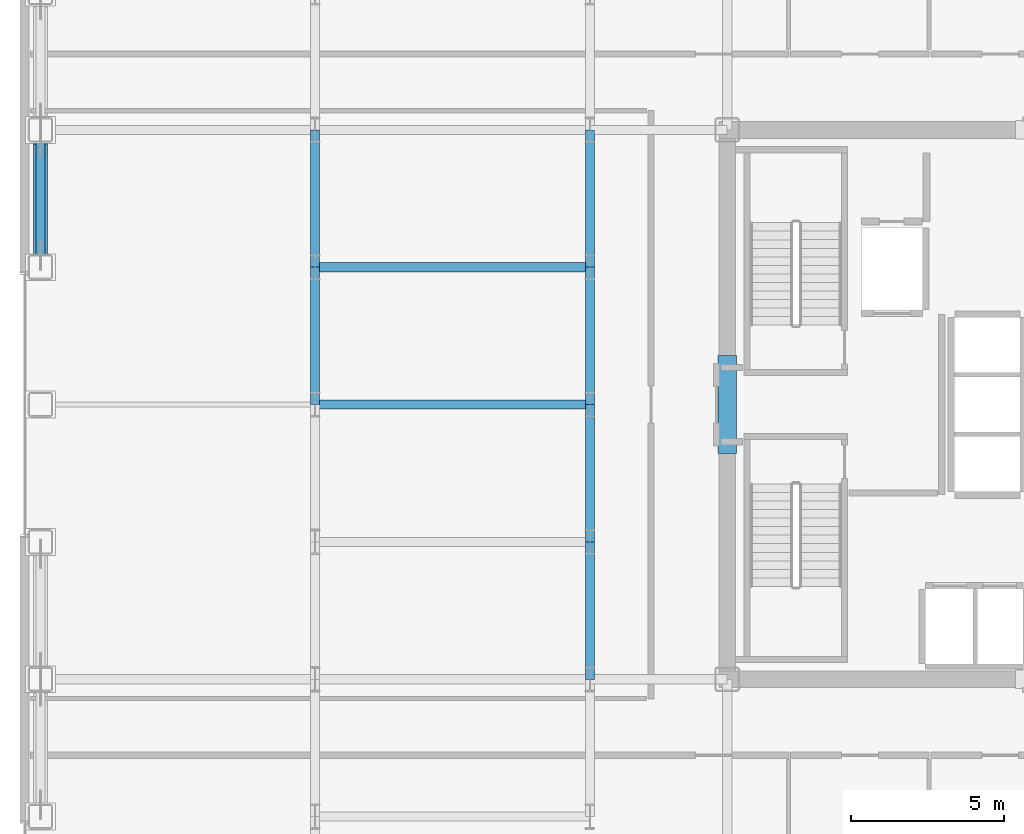
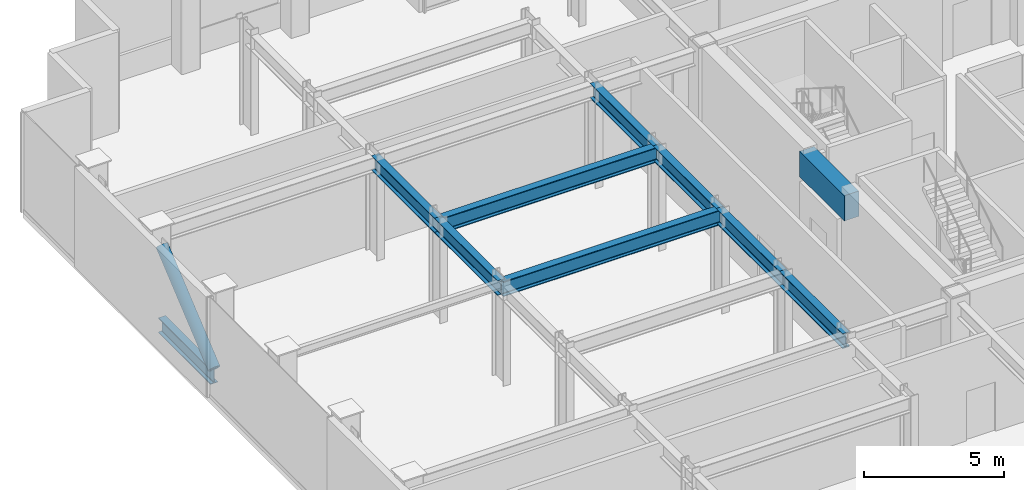
# One storey, part 7 of 26: 9 beams, 2 members.
"""IFC4 building model written with IfcOpenShell, lengths in metres."""

from ifc_helpers import new_model, si_unit, direction, frame, origin, origin_2d, place, context, subcontext, project, spatial, rectangle, hollow_circle, i_section, extrude, source, transform, mapped, material, material_profile, profile_set, type_object, element, save


model = new_model("IFC4")

# Units and contexts
model_context = context("Model", 3, precision=1e-05, world=origin(), true_north=direction((0.0, 1.0)))
body_context = subcontext(model_context, "Body", "Model", "MODEL_VIEW")
ifc_project = project(units=[si_unit("LENGTHUNIT", "METRE"), si_unit("AREAUNIT", "SQUARE_METRE"), si_unit("VOLUMEUNIT", "CUBIC_METRE"), si_unit("PLANEANGLEUNIT", "RADIAN"), si_unit("MASSUNIT", "GRAM", prefix="KILO")], contexts=[model_context])

# Site, building, storey
site_placement = place(None, origin())
site = spatial("IfcSite", under=ifc_project, at=site_placement, CompositionType="ELEMENT")
building_placement = place(site_placement, origin())
building = spatial("IfcBuilding", under=site, at=building_placement, Name="Nefas-Gora Pilgrimage Tower", CompositionType="ELEMENT")
storey_placement = place(building_placement, frame((0.0, 0.0, 202.0)))
storey = spatial("IfcBuildingStorey", under=building, at=storey_placement, Name="L50", CompositionType="ELEMENT", Elevation=202.0)

# Beams
ifc_material_1 = material(Name="Concrete C60/75", Category="concrete")
ifc_material_profile_1 = material_profile(ifc_material_1, rectangle(XDim=0.60009765625, YDim=1.10009765625, at=origin_2d()), Name="RC 600x1100")
ifc_profile_set_1 = profile_set([ifc_material_profile_1], Name="Concrete C60/75")
beam_type_1 = type_object("IfcBeamType", Name="BM-LIN-RC1100", PredefinedType="LINTEL", material=ifc_profile_set_1)
shared_shape_1 = source(origin(), body_context, "Body", "SweptSolid", [
    extrude(rectangle(XDim=0.60009765625, YDim=1.10009765625, at=origin_2d()), origin(), (0.0, 0.0, 1.0), 3.2001953125),
])
beam_placement = place(storey_placement, frame((-11.25, -1.60009765625, 3.800048828125), z_axis=(0.0, 1.0, 0.0), x_axis=(-1.0, 0.0, 0.0)))
element("IfcBeam", 1, at=beam_placement, inside=storey, type_object=beam_type_1, Name="L50 Core Coupling Lintel Beam W", PredefinedType="LINTEL", context=body_context, shape_type="MappedRepresentation", body=[
    mapped(shared_shape_1, transform((0.0, 0.0, 0.0), x_axis=(1.0, 0.0, 0.0), y_axis=(0.0, 1.0, 0.0), z_axis=(0.0, 0.0, 1.0), scale=1.0)),
])
ifc_material_2 = material(Name="Steel S355", Category="steel")
ifc_material_profile_2 = material_profile(ifc_material_2, i_section(OverallWidth=0.300048828125, OverallDepth=0.64990234375, WebThickness=0.01611328125, FlangeThickness=0.031005859375, FilletRadius=0.027099609375, at=origin_2d()), Name="HEB 650")
ifc_profile_set_2 = profile_set([ifc_material_profile_2], Name="Steel S355")
beam_type_2 = type_object("IfcBeamType", Name="BM-GIR-HEB650", PredefinedType="BEAM", material=ifc_profile_set_2)
shared_shape_2 = source(origin(), body_context, "Body", "SweptSolid", [
    extrude(i_section(OverallWidth=0.300048828125, OverallDepth=0.64990234375, WebThickness=0.01611328125, FlangeThickness=0.031005859375, FilletRadius=0.027099609375, at=origin_2d()), origin(), (0.0, 0.0, 1.0), 9.0),
])
for number, where, z_axis, x_axis, name in (
    (2, (-24.75, 0.0, 4.02490234375), (1.0, 0.0, 0.0), (0.0, 1.0, 0.0), "L50 G-03 beam"),
    (3, (-24.75, 4.5, 4.02490234375), (1.0, 0.0, 0.0), (0.0, 1.0, 0.0), "L50 G-03 beam"),
):
    element("IfcBeam", number, at=place(storey_placement, frame(where, z_axis=z_axis, x_axis=x_axis)), inside=storey, type_object=beam_type_2, Name=name, PredefinedType="BEAM", context=body_context, shape_type="MappedRepresentation", body=[
        mapped(shared_shape_2, transform((0.0, 0.0, 0.0), x_axis=(1.0, 0.0, 0.0), y_axis=(0.0, 1.0, 0.0), z_axis=(0.0, 0.0, 1.0), scale=1.0)),
    ])
shared_shape_3 = source(origin(), body_context, "Body", "SweptSolid", [
    extrude(i_section(OverallWidth=0.300048828125, OverallDepth=0.64990234375, WebThickness=0.01611328125, FlangeThickness=0.031005859375, FilletRadius=0.027099609375, at=origin_2d()), origin(), (0.0, 0.0, 1.0), 4.5),
])
for number, where, z_axis, x_axis, name in (
    (4, (-24.75, 0.0, 4.02490234375), (0.0, 1.0, 0.0), (-1.0, 0.0, 0.0), "L50 G-03 beam"),
    (5, (-24.75, 4.5, 4.02490234375), (0.0, 1.0, 0.0), (-1.0, 0.0, 0.0), "L50 G-03 beam"),
    (6, (-15.75, -9.0, 4.02490234375), (0.0, 1.0, 0.0), (-1.0, 0.0, 0.0), "L50 G-03 beam"),
    (7, (-15.75, -4.5, 4.02490234375), (0.0, 1.0, 0.0), (-1.0, 0.0, 0.0), "L50 G-03 beam"),
    (8, (-15.75, 0.0, 4.02490234375), (0.0, 1.0, 0.0), (-1.0, 0.0, 0.0), "L50 G-03 beam"),
    (9, (-15.75, 4.5, 4.02490234375), (0.0, 1.0, 0.0), (-1.0, 0.0, 0.0), "L50 G-03 beam"),
):
    element("IfcBeam", number, at=place(storey_placement, frame(where, z_axis=z_axis, x_axis=x_axis)), inside=storey, type_object=beam_type_2, Name=name, PredefinedType="BEAM", context=body_context, shape_type="MappedRepresentation", body=[
        mapped(shared_shape_3, transform((0.0, 0.0, 0.0), x_axis=(1.0, 0.0, 0.0), y_axis=(0.0, 1.0, 0.0), z_axis=(0.0, 0.0, 1.0), scale=1.0)),
    ])

# Members
ifc_material_3 = material(Name="Steel S460", Category="steel")
ifc_material_profile_3 = material_profile(ifc_material_3, hollow_circle(Radius=0.228515625, WallThickness=0.028076171875, at=origin_2d()), Name="CHS 457x28")
ifc_profile_set_3 = profile_set([ifc_material_profile_3], Name="Steel S460")
member_type_1 = type_object("IfcMemberType", Name="MEM-BELT-457", PredefinedType="BRACE", material=ifc_profile_set_3)
shared_shape_4 = source(origin(), body_context, "Body", "SweptSolid", [
    extrude(hollow_circle(Radius=0.228515625, WallThickness=0.028076171875, at=origin_2d()), origin(), (0.0, 0.0, 1.0), 4.84765625),
])
member_1_placement = place(storey_placement, frame((-33.75, 4.887939453125, 0.67333984375), z_axis=(0.0, 0.768237791814, 0.640164584485), x_axis=(-1.0, 0.0, 0.0)))
element("IfcMember", 10, at=member_1_placement, inside=storey, type_object=member_type_1, Name="L50 Perimeter Belt-Truss Diagonal 3", PredefinedType="BRACE", context=body_context, shape_type="MappedRepresentation", body=[
    mapped(shared_shape_4, transform((0.0, 0.0, 0.0), x_axis=(1.0, 0.0, 0.0), y_axis=(0.0, 1.0, 0.0), z_axis=(0.0, 0.0, 1.0), scale=1.0)),
])
ifc_material_profile_4 = material_profile(ifc_material_3, i_section(OverallWidth=0.300048828125, OverallDepth=0.64990234375, WebThickness=0.01611328125, FlangeThickness=0.031005859375, FilletRadius=0.027099609375, at=origin_2d()), Name="HEB 650")
ifc_profile_set_4 = profile_set([ifc_material_profile_4], Name="Steel S460")
member_type_2 = type_object("IfcMemberType", Name="MEM-BELT-CHORD", PredefinedType="CHORD", material=ifc_profile_set_4)
shared_shape_5 = source(origin(), body_context, "Body", "SweptSolid", [
    extrude(i_section(OverallWidth=0.300048828125, OverallDepth=0.64990234375, WebThickness=0.01611328125, FlangeThickness=0.031005859375, FilletRadius=0.027099609375, at=origin_2d()), origin(), (0.0, 0.0, 1.0), 3.72412109375),
])
member_2_placement = place(storey_placement, frame((-33.75, 4.887939453125, 0.35009765625), z_axis=(0.0, 1.0, 0.0), x_axis=(-1.0, 0.0, 0.0)))
element("IfcMember", 11, at=member_2_placement, inside=storey, type_object=member_type_2, Name="L50 Perimeter Belt-Truss Bottom Chord 3", PredefinedType="CHORD", context=body_context, shape_type="MappedRepresentation", body=[
    mapped(shared_shape_5, transform((0.0, 0.0, 0.0), x_axis=(1.0, 0.0, 0.0), y_axis=(0.0, 1.0, 0.0), z_axis=(0.0, 0.0, 1.0), scale=1.0)),
])

save(model, "model.ifc")
